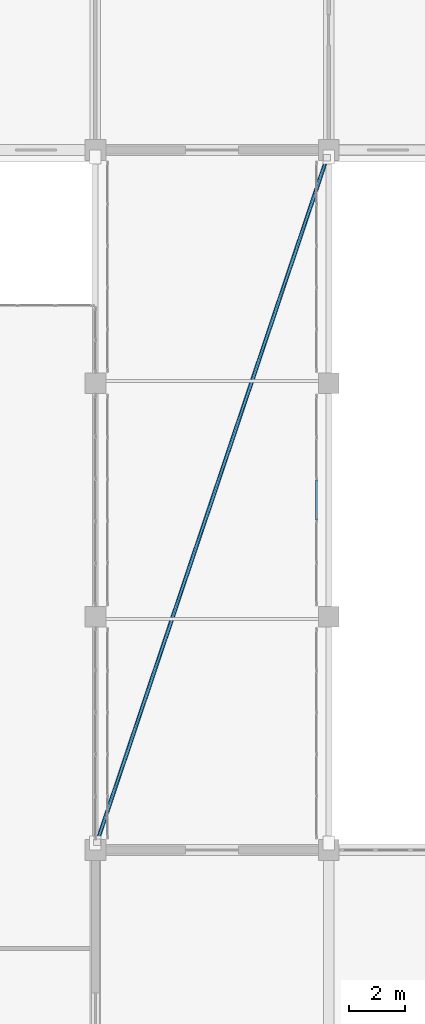
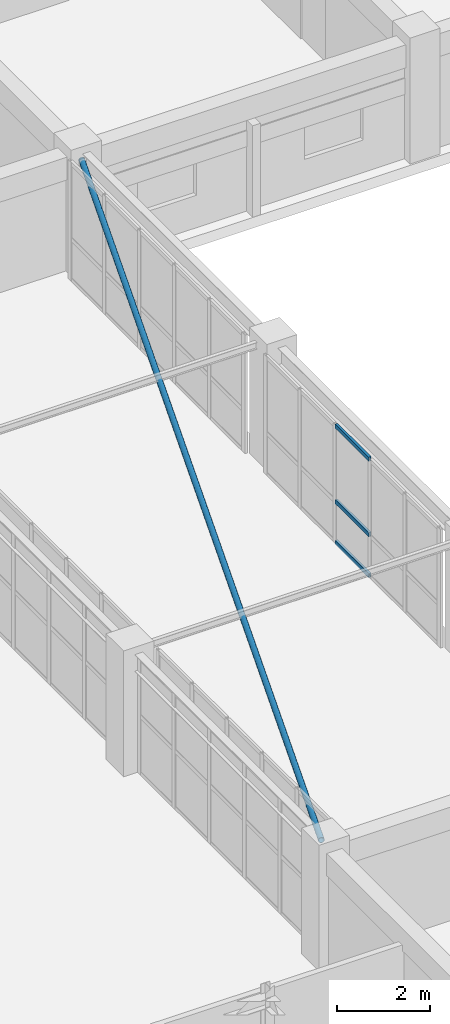
# One storey, part 102 of 200: 4 members, 1 element without a shape of its own.
"""IFC4 building model written with IfcOpenShell, lengths in metres."""

from ifc_helpers import new_model, si_unit, direction, frame, origin, origin_2d, place, context, subcontext, project, spatial, hollow_rectangle, hollow_circle, extrude, material, layer, layer_set, material_profile, profile_set, type_object, element, aggregate, save


model = new_model("IFC4")

# Units and contexts
model_context = context("Model", 3, precision=1e-05, world=origin(), true_north=direction((0.0, 1.0)))
body_context = subcontext(model_context, "Body", "Model", "MODEL_VIEW")
ifc_project = project(units=[si_unit("LENGTHUNIT", "METRE"), si_unit("AREAUNIT", "SQUARE_METRE"), si_unit("VOLUMEUNIT", "CUBIC_METRE"), si_unit("PLANEANGLEUNIT", "RADIAN"), si_unit("MASSUNIT", "GRAM", prefix="KILO")], contexts=[model_context])

# Site, building, storey
site_placement = place(None, origin())
site = spatial("IfcSite", under=ifc_project, at=site_placement, CompositionType="ELEMENT")
building_placement = place(site_placement, origin())
building = spatial("IfcBuilding", under=site, at=building_placement, Name="Trelvath General Hospital", CompositionType="ELEMENT")
storey_placement = place(building_placement, frame((0.0, 0.0, 4.800048828125)))
storey = spatial("IfcBuildingStorey", under=building, at=storey_placement, Name="L01", CompositionType="ELEMENT", Elevation=4.800048828125)

# Member
ifc_material_1 = material(Name="Steel S355", Category="steel")
ifc_material_profile_1 = material_profile(ifc_material_1, hollow_circle(Radius=0.06982421875, WallThickness=0.00634765625, at=origin_2d()), Name="CHS139.7x6.3")
ifc_profile_set_1 = profile_set([ifc_material_profile_1], Name="Steel S355")
member_type_1 = type_object("IfcMemberType", Name="BridgeBrace CHS139", PredefinedType="BRACE", material=ifc_profile_set_1)
member_1_placement = place(storey_placement, frame((75.659912109375, 67.47998046875, 2.885009765625), z_axis=(0.318534479637, 0.947911275006, 0.0), x_axis=(-0.947911275006, 0.318534479637, 0.0)))
element("IfcMember", 1, at=member_1_placement, inside=storey, type_object=member_type_1, Name="Bridge Lateral Brace BRG-N-C L02", PredefinedType="BRACE", context=body_context, shape_type="SweptSolid", body=[
    extrude(hollow_circle(Radius=0.06982421875, WallThickness=0.00634765625, at=origin_2d()), origin(), (0.0, 0.0, 1.0), 25.994140625),
])

# Curtain wall, members
ifc_material_2 = material(Name="Anodised aluminium and low-E glass", Category="aluminium")
ifc_layer = layer(ifc_material_2, 0.139892578125)
ifc_layer_set = layer_set([ifc_layer], Name="Anodised aluminium and low-E glass")
curtain_wall_type = type_object("IfcCurtainWallType", Name="CW Bridge 752 311", PredefinedType="USERDEFINED", material=ifc_layer_set)
curtain_wall_placement = place(storey_placement, origin())
curtain_wall = element("IfcCurtainWall", 2, at=curtain_wall_placement, inside=storey, type_object=curtain_wall_type, Name="Glazed Bridge Curtain Wall BRG-N-C E L01", ObjectType="Unitised Glazed Curtain Wall", PredefinedType="USERDEFINED")
ifc_material_3 = material(Name="Anodised aluminium", Category="aluminium")
ifc_material_profile_2 = material_profile(ifc_material_3, hollow_rectangle(XDim=0.06005859375, YDim=0.110107421875, WallThickness=0.00390625, at=origin_2d()), Name="RHS60x110x4")
ifc_profile_set_2 = profile_set([ifc_material_profile_2], Name="Anodised aluminium")
member_type_2 = type_object("IfcMemberType", Name="CurtainTransom 60x110", PredefinedType="USERDEFINED", material=ifc_profile_set_2)
member_2_placement = place(storey_placement, frame((83.56005859375, 80.52197265625, 0.030029296875), z_axis=(0.0, -1.0, 0.0), x_axis=(1.0, 0.0, 0.0)))
member_2 = element("IfcMember", 3, at=member_2_placement, type_object=member_type_2, Name="CW-175 transom 3.1", ObjectType="TRANSOM", PredefinedType="USERDEFINED", context=body_context, shape_type="SweptSolid", body=[
    extrude(hollow_rectangle(XDim=0.06005859375, YDim=0.110107421875, WallThickness=0.00390625, at=origin_2d()), origin(), (0.0, 0.0, 1.0), 1.444091796875),
])
member_3_placement = place(storey_placement, frame((83.56005859375, 80.52197265625, 1.099853515625), z_axis=(0.0, -1.0, 0.0), x_axis=(1.0, 0.0, 0.0)))
member_3 = element("IfcMember", 4, at=member_3_placement, type_object=member_type_2, Name="CW-175 transom 3.2", ObjectType="TRANSOM", PredefinedType="USERDEFINED", context=body_context, shape_type="SweptSolid", body=[
    extrude(hollow_rectangle(XDim=0.06005859375, YDim=0.110107421875, WallThickness=0.00390625, at=origin_2d()), origin(), (0.0, 0.0, 1.0), 1.444091796875),
])
member_4_placement = place(storey_placement, frame((83.56005859375, 80.52197265625, 3.079833984375), z_axis=(0.0, -1.0, 0.0), x_axis=(1.0, 0.0, 0.0)))
member_4 = element("IfcMember", 5, at=member_4_placement, type_object=member_type_2, Name="CW-175 transom 3.3", ObjectType="TRANSOM", PredefinedType="USERDEFINED", context=body_context, shape_type="SweptSolid", body=[
    extrude(hollow_rectangle(XDim=0.06005859375, YDim=0.110107421875, WallThickness=0.00390625, at=origin_2d()), origin(), (0.0, 0.0, 1.0), 1.444091796875),
])
aggregate(curtain_wall, [member_2, member_3, member_4])

save(model, "model.ifc")
